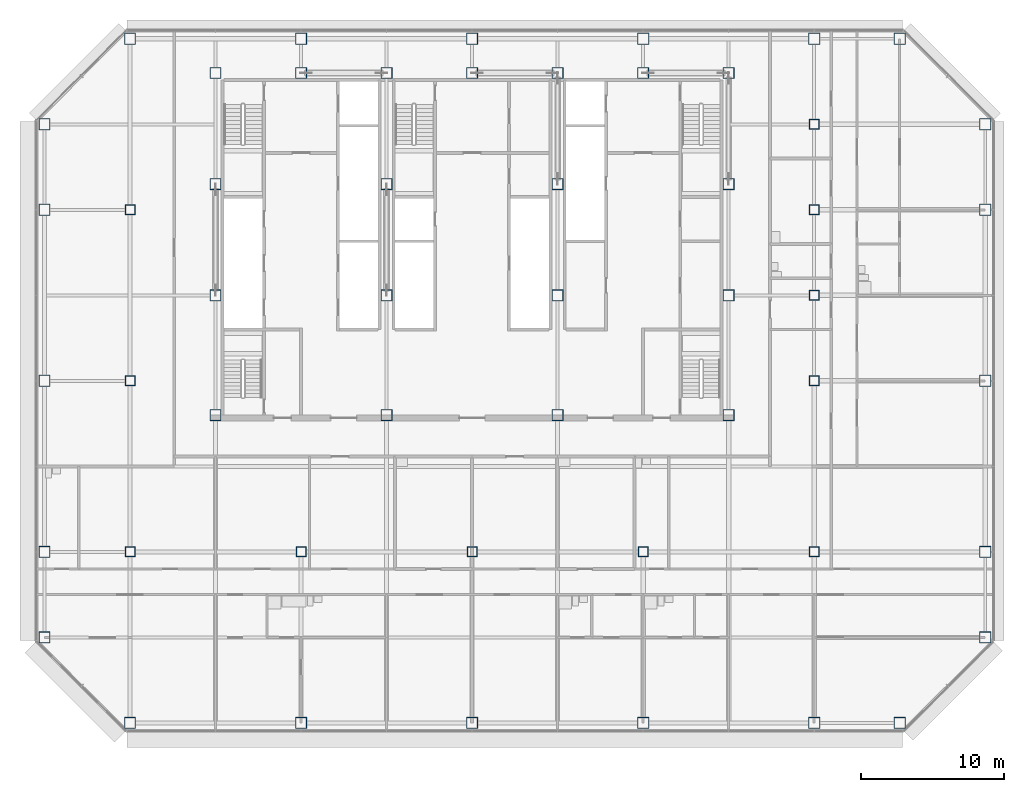
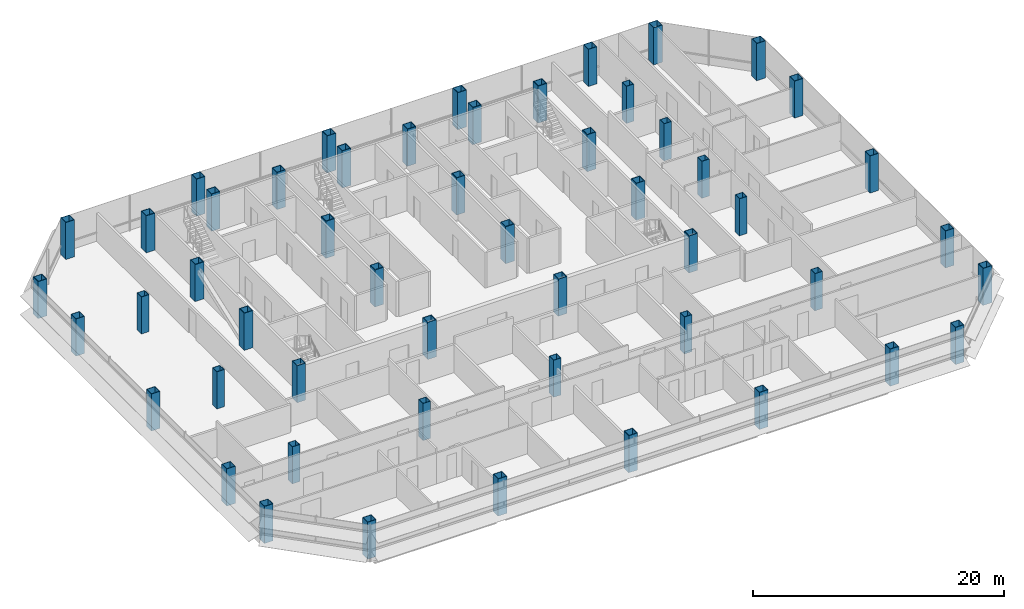
# One storey, part 1 of 25: 52 columns.
"""IFC4 building model written with IfcOpenShell, lengths in metres."""

from ifc_helpers import new_model, si_unit, direction, frame, origin, origin_2d, place, context, subcontext, project, spatial, hollow_rectangle, extrude, material, material_profile, profile_set, type_object, element, save


model = new_model("IFC4")

# Units and contexts
model_context = context("Model", 3, precision=1e-05, world=origin(), true_north=direction((0.0, 1.0)))
body_context = subcontext(model_context, "Body", "Model", "MODEL_VIEW")
ifc_project = project(units=[si_unit("LENGTHUNIT", "METRE"), si_unit("AREAUNIT", "SQUARE_METRE"), si_unit("VOLUMEUNIT", "CUBIC_METRE"), si_unit("PLANEANGLEUNIT", "RADIAN"), si_unit("MASSUNIT", "GRAM", prefix="KILO")], contexts=[model_context])

# Site, building, storey
site_placement = place(None, origin())
site = spatial("IfcSite", under=ifc_project, at=site_placement, CompositionType="ELEMENT")
building_placement = place(site_placement, origin())
building = spatial("IfcBuilding", under=site, at=building_placement, Name="Sorahane Residences", CompositionType="ELEMENT")
storey_placement = place(building_placement, frame((0.0, 0.0, 119.60009765625)))
storey = spatial("IfcBuildingStorey", under=building, at=storey_placement, Name="L26", CompositionType="ELEMENT", Elevation=119.60009765625)

# Columns
ifc_material_1 = material(Name="Steel Q355B", Category="steel")
ifc_material_profile_1 = material_profile(ifc_material_1, hollow_rectangle(XDim=0.699951171875, YDim=0.699951171875, WallThickness=0.035888671875, at=origin_2d()), Name="BOX 700x700x36")
ifc_profile_set_1 = profile_set([ifc_material_profile_1], Name="Steel Q355B")
column_type_1 = type_object("IfcColumnType", Name="Steel box column BOX 700x700x36 Q355B", PredefinedType="COLUMN", material=ifc_profile_set_1)
for number, where, z_axis, x_axis, name in (
    (1, (0.0, 12.0, 0.0), (0.0, 0.0, 1.0), (1.0, 0.0, 0.0), "Column L26 0/12"),
    (2, (0.0, 24.0, 0.0), (0.0, 0.0, 1.0), (1.0, 0.0, 0.0), "Column L26 0/24"),
    (3, (0.0, 36.0, 0.0), (0.0, 0.0, 1.0), (1.0, 0.0, 0.0), "Column L26 0/36"),
    (4, (12.0, 12.0, 0.0), (0.0, 0.0, 1.0), (1.0, 0.0, 0.0), "Column L26 12/12"),
    (5, (24.0, 12.0, 0.0), (0.0, 0.0, 1.0), (1.0, 0.0, 0.0), "Column L26 24/12"),
    (6, (36.0, 12.0, 0.0), (0.0, 0.0, 1.0), (1.0, 0.0, 0.0), "Column L26 36/12"),
    (7, (48.0, 12.0, 0.0), (0.0, 0.0, 1.0), (1.0, 0.0, 0.0), "Column L26 48/12"),
    (8, (48.0, 24.0, 0.0), (0.0, 0.0, 1.0), (1.0, 0.0, 0.0), "Column L26 48/24"),
    (9, (48.0, 30.0, 0.0), (0.0, 0.0, 1.0), (1.0, 0.0, 0.0), "Column L26 48/30"),
    (10, (48.0, 36.0, 0.0), (0.0, 0.0, 1.0), (1.0, 0.0, 0.0), "Column L26 48/36"),
    (11, (48.0, 42.0, 0.0), (0.0, 0.0, 1.0), (1.0, 0.0, 0.0), "Column L26 48/42"),
):
    element("IfcColumn", number, at=place(storey_placement, frame(where, z_axis=z_axis, x_axis=x_axis)), inside=storey, type_object=column_type_1, Name=name, PredefinedType="COLUMN", context=body_context, shape_type="SweptSolid", body=[
        extrude(hollow_rectangle(XDim=0.699951171875, YDim=0.699951171875, WallThickness=0.035888671875, at=origin_2d()), origin(), (0.0, 0.0, 1.0), 3.599853515625),
    ])
ifc_material_2 = material(Name="Steel Q355B", Category="steel")
ifc_material_profile_2 = material_profile(ifc_material_2, hollow_rectangle(XDim=0.800048828125, YDim=0.800048828125, WallThickness=0.0400390625, at=origin_2d()), Name="BOX 800x800x40")
ifc_profile_set_2 = profile_set([ifc_material_profile_2], Name="Steel Q355B")
column_type_2 = type_object("IfcColumnType", Name="Steel box column BOX 800x800x40 Q355B", PredefinedType="COLUMN", material=ifc_profile_set_2)
for number, where, z_axis, x_axis, name in (
    (12, (-6.0, 6.0, 0.0), (0.0, 0.0, 1.0), (1.0, 0.0, 0.0), "Column L26 m6/6"),
    (13, (-6.0, 12.0, 0.0), (0.0, 0.0, 1.0), (1.0, 0.0, 0.0), "Column L26 m6/12"),
    (14, (-6.0, 24.0, 0.0), (0.0, 0.0, 1.0), (1.0, 0.0, 0.0), "Column L26 m6/24"),
    (15, (-6.0, 36.0, 0.0), (0.0, 0.0, 1.0), (1.0, 0.0, 0.0), "Column L26 m6/36"),
    (16, (-6.0, 42.0, 0.0), (0.0, 0.0, 1.0), (1.0, 0.0, 0.0), "Column L26 m6/42"),
    (17, (0.0, 0.0, 0.0), (0.0, 0.0, 1.0), (1.0, 0.0, 0.0), "Column L26 0/0"),
    (18, (0.0, 48.0, 0.0), (0.0, 0.0, 1.0), (1.0, 0.0, 0.0), "Column L26 0/48"),
    (19, (12.0, 0.0, 0.0), (0.0, 0.0, 1.0), (1.0, 0.0, 0.0), "Column L26 12/0"),
    (20, (12.0, 48.0, 0.0), (0.0, 0.0, 1.0), (1.0, 0.0, 0.0), "Column L26 12/48"),
    (21, (24.0, 0.0, 0.0), (0.0, 0.0, 1.0), (1.0, 0.0, 0.0), "Column L26 24/0"),
    (22, (24.0, 48.0, 0.0), (0.0, 0.0, 1.0), (1.0, 0.0, 0.0), "Column L26 24/48"),
    (23, (36.0, 0.0, 0.0), (0.0, 0.0, 1.0), (1.0, 0.0, 0.0), "Column L26 36/0"),
    (24, (36.0, 48.0, 0.0), (0.0, 0.0, 1.0), (1.0, 0.0, 0.0), "Column L26 36/48"),
    (25, (48.0, 0.0, 0.0), (0.0, 0.0, 1.0), (1.0, 0.0, 0.0), "Column L26 48/0"),
    (26, (48.0, 48.0, 0.0), (0.0, 0.0, 1.0), (1.0, 0.0, 0.0), "Column L26 48/48"),
    (27, (54.0, 0.0, 0.0), (0.0, 0.0, 1.0), (1.0, 0.0, 0.0), "Column L26 54/0"),
    (28, (54.0, 48.0, 0.0), (0.0, 0.0, 1.0), (1.0, 0.0, 0.0), "Column L26 54/48"),
    (29, (60.0, 6.0, 0.0), (0.0, 0.0, 1.0), (1.0, 0.0, 0.0), "Column L26 60/6"),
    (30, (60.0, 12.0, 0.0), (0.0, 0.0, 1.0), (1.0, 0.0, 0.0), "Column L26 60/12"),
    (31, (60.0, 24.0, 0.0), (0.0, 0.0, 1.0), (1.0, 0.0, 0.0), "Column L26 60/24"),
    (32, (60.0, 36.0, 0.0), (0.0, 0.0, 1.0), (1.0, 0.0, 0.0), "Column L26 60/36"),
    (33, (60.0, 42.0, 0.0), (0.0, 0.0, 1.0), (1.0, 0.0, 0.0), "Column L26 60/42"),
):
    element("IfcColumn", number, at=place(storey_placement, frame(where, z_axis=z_axis, x_axis=x_axis)), inside=storey, type_object=column_type_2, Name=name, PredefinedType="COLUMN", context=body_context, shape_type="SweptSolid", body=[
        extrude(hollow_rectangle(XDim=0.800048828125, YDim=0.800048828125, WallThickness=0.0400390625, at=origin_2d()), origin(), (0.0, 0.0, 1.0), 3.599853515625),
    ])
ifc_material_3 = material(Name="Steel Q420GJ", Category="steel")
ifc_material_profile_3 = material_profile(ifc_material_3, hollow_rectangle(XDim=0.800048828125, YDim=0.800048828125, WallThickness=0.050048828125, at=origin_2d()), Name="BOX 800x800x50")
ifc_profile_set_3 = profile_set([ifc_material_profile_3], Name="Steel Q420GJ")
column_type_3 = type_object("IfcColumnType", Name="Steel box column BOX 800x800x50 Q420GJ", PredefinedType="COLUMN", material=ifc_profile_set_3)
for number, where, z_axis, x_axis, name in (
    (34, (6.0, 21.60009765625, 0.0), (0.0, 0.0, 1.0), (1.0, 0.0, 0.0), "Column L26 6/21.6"),
    (35, (6.0, 30.0, 0.0), (0.0, 0.0, 1.0), (1.0, 0.0, 0.0), "Column L26 6/30"),
    (36, (6.0, 37.800048828125, 0.0), (0.0, 0.0, 1.0), (1.0, 0.0, 0.0), "Column L26 6/37.8"),
    (37, (6.0, 45.60009765625, 0.0), (0.0, 0.0, 1.0), (1.0, 0.0, 0.0), "Column L26 6/45.6"),
    (38, (12.0, 45.60009765625, 0.0), (0.0, 0.0, 1.0), (1.0, 0.0, 0.0), "Column L26 12/45.6"),
    (39, (18.0, 21.60009765625, 0.0), (0.0, 0.0, 1.0), (1.0, 0.0, 0.0), "Column L26 18/21.6"),
    (40, (18.0, 30.0, 0.0), (0.0, 0.0, 1.0), (1.0, 0.0, 0.0), "Column L26 18/30"),
    (41, (18.0, 37.800048828125, 0.0), (0.0, 0.0, 1.0), (1.0, 0.0, 0.0), "Column L26 18/37.8"),
    (42, (18.0, 45.60009765625, 0.0), (0.0, 0.0, 1.0), (1.0, 0.0, 0.0), "Column L26 18/45.6"),
    (43, (24.0, 45.60009765625, 0.0), (0.0, 0.0, 1.0), (1.0, 0.0, 0.0), "Column L26 24/45.6"),
    (44, (30.0, 21.60009765625, 0.0), (0.0, 0.0, 1.0), (1.0, 0.0, 0.0), "Column L26 30/21.6"),
    (45, (30.0, 30.0, 0.0), (0.0, 0.0, 1.0), (1.0, 0.0, 0.0), "Column L26 30/30"),
    (46, (30.0, 37.800048828125, 0.0), (0.0, 0.0, 1.0), (1.0, 0.0, 0.0), "Column L26 30/37.8"),
    (47, (30.0, 45.60009765625, 0.0), (0.0, 0.0, 1.0), (1.0, 0.0, 0.0), "Column L26 30/45.6"),
    (48, (36.0, 45.60009765625, 0.0), (0.0, 0.0, 1.0), (1.0, 0.0, 0.0), "Column L26 36/45.6"),
    (49, (42.0, 21.60009765625, 0.0), (0.0, 0.0, 1.0), (1.0, 0.0, 0.0), "Column L26 42/21.6"),
    (50, (42.0, 30.0, 0.0), (0.0, 0.0, 1.0), (1.0, 0.0, 0.0), "Column L26 42/30"),
    (51, (42.0, 37.800048828125, 0.0), (0.0, 0.0, 1.0), (1.0, 0.0, 0.0), "Column L26 42/37.8"),
    (52, (42.0, 45.60009765625, 0.0), (0.0, 0.0, 1.0), (1.0, 0.0, 0.0), "Column L26 42/45.6"),
):
    element("IfcColumn", number, at=place(storey_placement, frame(where, z_axis=z_axis, x_axis=x_axis)), inside=storey, type_object=column_type_3, Name=name, PredefinedType="COLUMN", context=body_context, shape_type="SweptSolid", body=[
        extrude(hollow_rectangle(XDim=0.800048828125, YDim=0.800048828125, WallThickness=0.050048828125, at=origin_2d()), origin(), (0.0, 0.0, 1.0), 3.599853515625),
    ])

save(model, "model.ifc")
